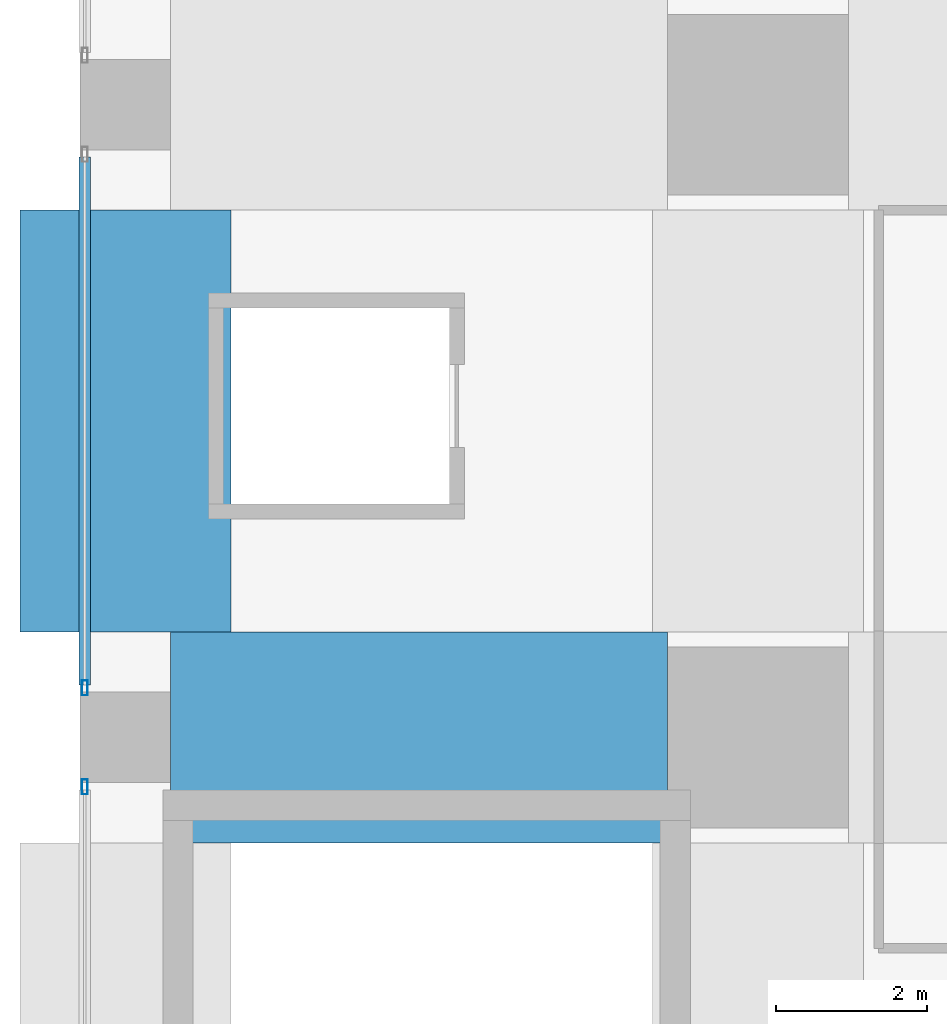
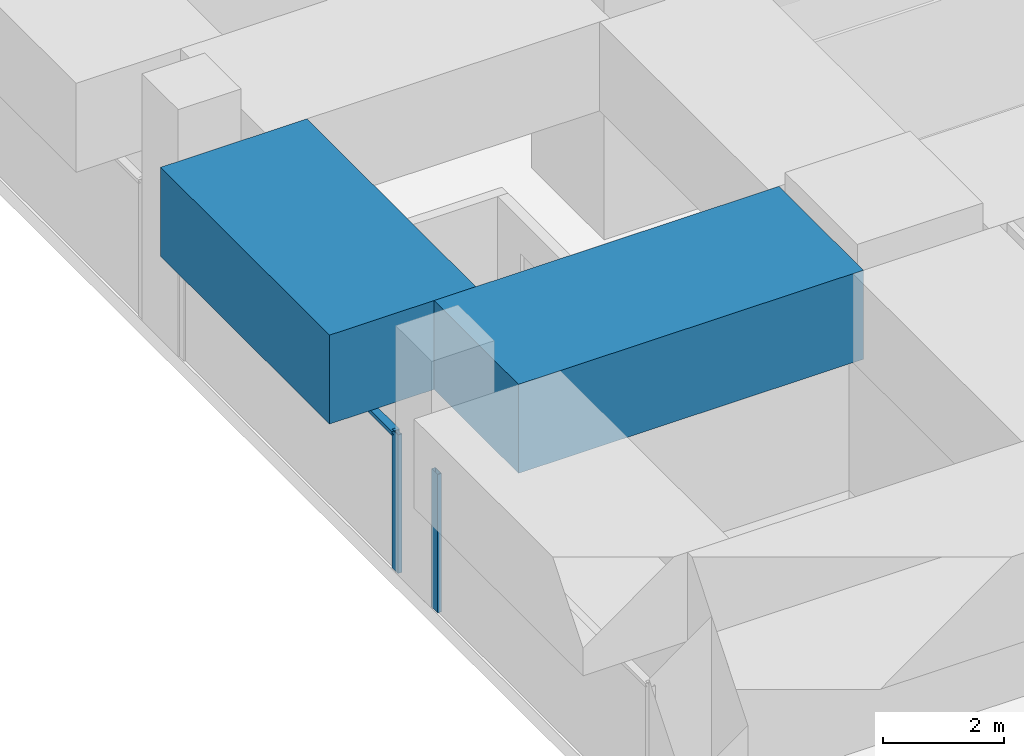
# One storey, part 17 of 52: 3 members, 2 beams, 2 elements without a shape of their own.
"""IFC4 building model written with IfcOpenShell, lengths in metres."""

from ifc_helpers import new_model, si_unit, direction, frame, origin, origin_2d, place, context, subcontext, project, spatial, rectangle, hollow_rectangle, extrude, material, material_profile, profile_set, type_object, element, aggregate, save


model = new_model("IFC4")

# Units and contexts
model_context = context("Model", 3, precision=1e-05, world=origin(), true_north=direction((0.0, 1.0)))
body_context = subcontext(model_context, "Body", "Model", "MODEL_VIEW")
ifc_project = project(units=[si_unit("LENGTHUNIT", "METRE"), si_unit("AREAUNIT", "SQUARE_METRE"), si_unit("VOLUMEUNIT", "CUBIC_METRE"), si_unit("PLANEANGLEUNIT", "RADIAN"), si_unit("MASSUNIT", "GRAM", prefix="KILO")], contexts=[model_context])

# Site, building, storey
site_placement = place(None, origin())
site = spatial("IfcSite", under=ifc_project, at=site_placement, CompositionType="ELEMENT")
building_placement = place(site_placement, origin())
building = spatial("IfcBuilding", under=site, at=building_placement, Name="Rekha Terrace Tower", CompositionType="ELEMENT")
storey_placement = place(building_placement, frame((0.0, 0.0, 20.39990234375)))
storey = spatial("IfcBuildingStorey", under=building, at=storey_placement, Name="L04", CompositionType="ELEMENT", Elevation=20.39990234375)

# Curtain wall, member
ifc_material_1 = material(Name="Aluminium framing", Category="aluminium")
curtain_wall_type = type_object("IfcCurtainWallType", Name="CW4 podium shopfront glazing", PredefinedType="USERDEFINED", material=ifc_material_1)
curtain_wall_1_placement = place(storey_placement, origin())
curtain_wall_1 = element("IfcCurtainWall", 1, at=curtain_wall_1_placement, inside=storey, type_object=curtain_wall_type, Name="CW4 shopfront curtain wall", ObjectType="SHOPFRONT CURTAIN WALL", PredefinedType="USERDEFINED")
ifc_material_2 = material(Name="Aluminium mullion section", Category="aluminium")
ifc_material_profile_1 = material_profile(ifc_material_2, hollow_rectangle(XDim=0.074951171875, YDim=0.199951171875, WallThickness=0.00390625, at=origin_2d()), Name="AL RHS 75x200")
ifc_profile_set_1 = profile_set([ifc_material_profile_1], Name="Aluminium mullion section")
member_type_1 = type_object("IfcMemberType", Name="CW4 mullion RHS 75 x 200", PredefinedType="MULLION", material=ifc_profile_set_1)
member_1_placement = place(storey_placement, frame((-0.5400390625, 34.257568359375, 0.0), z_axis=(0.0, 0.0, 1.0), x_axis=(1.0, 0.0, 0.0)))
member_1 = element("IfcMember", 2, at=member_1_placement, type_object=member_type_1, Name="CW4 mullion 2", PredefinedType="MULLION", context=body_context, shape_type="SweptSolid", body=[
    extrude(hollow_rectangle(XDim=0.074951171875, YDim=0.199951171875, WallThickness=0.00390625, at=origin_2d()), origin(), (0.0, 0.0, 1.0), 2.800048828125),
])

curtain_wall_2_placement = place(storey_placement, origin())
curtain_wall_2 = element("IfcCurtainWall", 3, at=curtain_wall_2_placement, inside=storey, type_object=curtain_wall_type, Name="CW4 shopfront curtain wall", ObjectType="SHOPFRONT CURTAIN WALL", PredefinedType="USERDEFINED")
member_2_placement = place(storey_placement, frame((-0.5400390625, 32.9423828125, 0.0), z_axis=(0.0, 0.0, 1.0), x_axis=(1.0, 0.0, 0.0)))
member_2 = element("IfcMember", 4, at=member_2_placement, type_object=member_type_1, Name="CW4 mullion 1", PredefinedType="MULLION", context=body_context, shape_type="SweptSolid", body=[
    extrude(hollow_rectangle(XDim=0.074951171875, YDim=0.199951171875, WallThickness=0.00390625, at=origin_2d()), origin(), (0.0, 0.0, 1.0), 2.800048828125),
])
aggregate(curtain_wall_2, [member_2])

# Member
ifc_material_3 = material(Name="Aluminium transom section", Category="aluminium")
ifc_material_profile_2 = material_profile(ifc_material_3, hollow_rectangle(XDim=0.14990234375, YDim=0.074951171875, WallThickness=0.0029296875, at=origin_2d()), Name="AL RHS 150x75")
ifc_profile_set_2 = profile_set([ifc_material_profile_2], Name="Aluminium transom section")
member_type_2 = type_object("IfcMemberType", Name="CW4 transom RHS 75 x 150", PredefinedType="USERDEFINED", material=ifc_profile_set_2)
member_3_placement = place(storey_placement, frame((-0.5400390625, 41.304931640625, 2.7626953125), z_axis=(0.0, -1.0, 0.0), x_axis=(1.0, 0.0, 0.0)))
member_3 = element("IfcMember", 5, at=member_3_placement, type_object=member_type_2, Name="CW4 transom 1.2", ObjectType="TRANSOM", PredefinedType="USERDEFINED", context=body_context, shape_type="SweptSolid", body=[
    extrude(hollow_rectangle(XDim=0.14990234375, YDim=0.074951171875, WallThickness=0.0029296875, at=origin_2d()), origin(), (0.0, 0.0, 1.0), 7.010009765625),
])

aggregate(curtain_wall_1, [member_1, member_3])

# Beams
ifc_material_4 = material(Name="Concrete M70", Category="concrete")
ifc_material_profile_3 = material_profile(ifc_material_4, rectangle(XDim=2.800048828125, YDim=1.800048828125, at=origin_2d()), Name="RC 2800x1800")
ifc_profile_set_3 = profile_set([ifc_material_profile_3], Name="Concrete M70")
beam_type = type_object("IfcBeamType", Name="G2 2800x1800 podium roof band beam", PredefinedType="BEAM", material=ifc_profile_set_3)
beam_1_placement = place(storey_placement, frame((0.60009765625, 33.60009765625, 3.7001953125), z_axis=(1.0, 0.0, 0.0), x_axis=(0.0, 1.0, 0.0)))
element("IfcBeam", 6, at=beam_1_placement, inside=storey, type_object=beam_type, Name="Beam G2 1E-2E under L05", PredefinedType="BEAM", context=body_context, shape_type="SweptSolid", body=[
    extrude(rectangle(XDim=2.800048828125, YDim=1.800048828125, at=origin_2d()), origin(), (0.0, 0.0, 1.0), 6.599853515625),
])
beam_2_placement = place(storey_placement, frame((0.0, 35.0, 3.7001953125), z_axis=(0.0, 1.0, 0.0), x_axis=(-1.0, 0.0, 0.0)))
element("IfcBeam", 7, at=beam_2_placement, inside=storey, type_object=beam_type, Name="Beam G2 1E-1F under L05", PredefinedType="BEAM", context=body_context, shape_type="SweptSolid", body=[
    extrude(rectangle(XDim=2.800048828125, YDim=1.800048828125, at=origin_2d()), origin(), (0.0, 0.0, 1.0), 5.60009765625),
])

save(model, "model.ifc")
